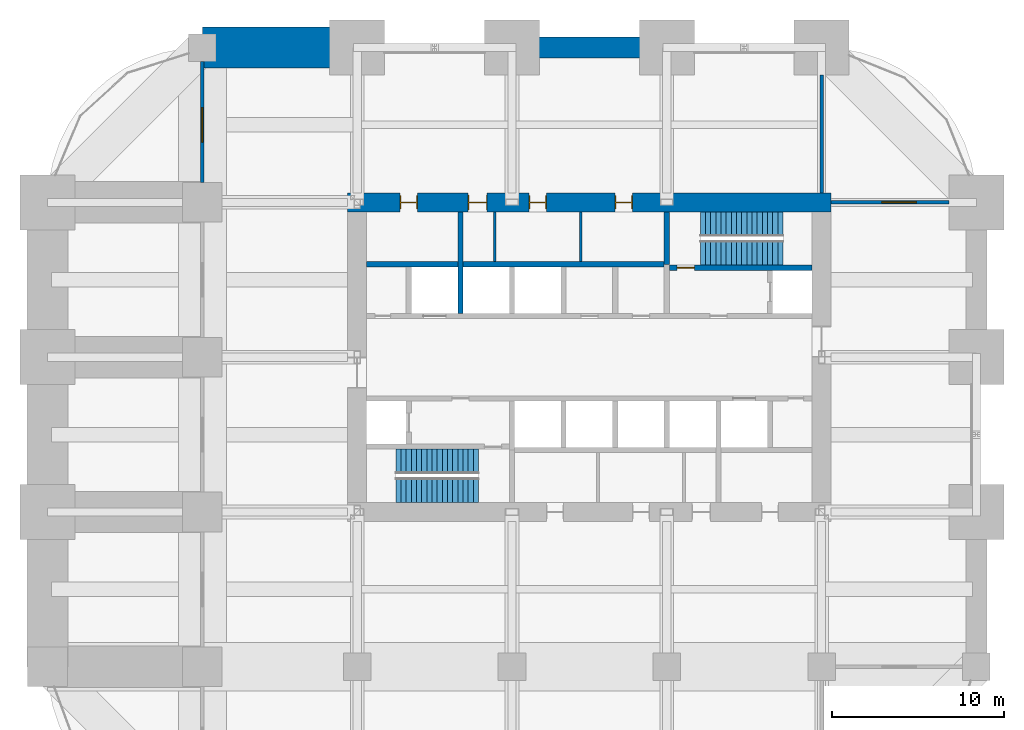
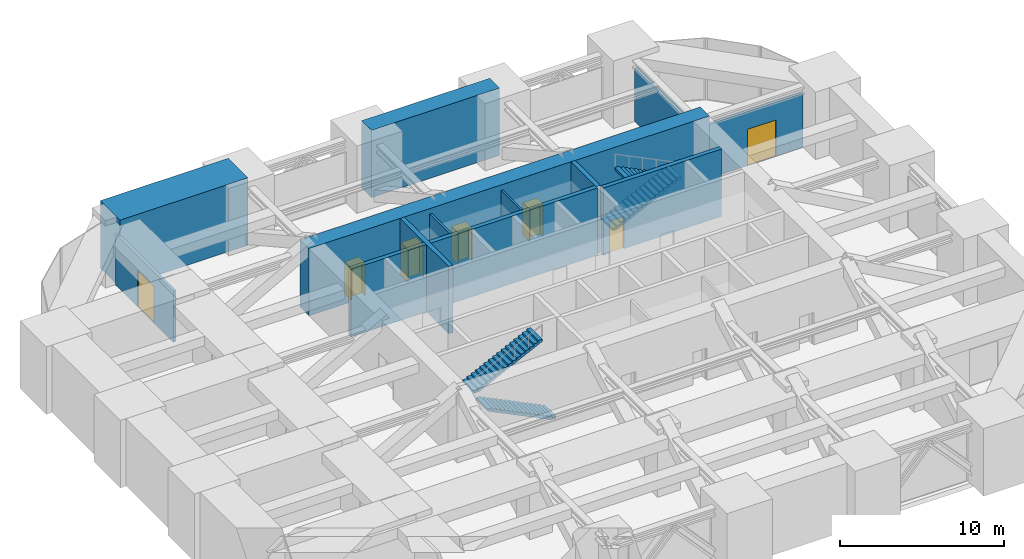
# One storey, part 31 of 32: 12 walls, 7 doors, 4 stair flights, 7 openings, 2 elements without a shape of their own.
"""IFC4 building model written with IfcOpenShell, lengths in metres."""

from ifc_helpers import new_model, si_unit, direction, frame, frame_2d, origin, place, context, subcontext, project, spatial, polyline, rectangle, outline, extrude, material, layer, layer_set, type_object, element, fill, aggregate, save


model = new_model("IFC4")

# Units and contexts
model_context = context("Model", 3, precision=1e-05, world=origin(), true_north=direction((0.0, 1.0)))
body_context = subcontext(model_context, "Body", "Model", "MODEL_VIEW")
ifc_project = project(units=[si_unit("LENGTHUNIT", "METRE"), si_unit("AREAUNIT", "SQUARE_METRE"), si_unit("VOLUMEUNIT", "CUBIC_METRE"), si_unit("PLANEANGLEUNIT", "RADIAN"), si_unit("MASSUNIT", "GRAM", prefix="KILO")], contexts=[model_context])

# Site, building, storey
site_placement = place(None, origin())
site = spatial("IfcSite", under=ifc_project, at=site_placement, CompositionType="ELEMENT")
building_placement = place(site_placement, origin())
building = spatial("IfcBuilding", under=site, at=building_placement, Name="Zorevar Civic Tower", CompositionType="ELEMENT")
storey_placement = place(building_placement, frame((0.0, 0.0, 234.39990234375)))
storey = spatial("IfcBuildingStorey", under=building, at=storey_placement, Name="L57", CompositionType="ELEMENT", Elevation=234.39990234375)

# Wall
ifc_material_1 = material(Name="Concrete C50/60", Category="concrete")
ifc_layer_1 = layer(ifc_material_1, 1.199951171875)
ifc_layer_set_1 = layer_set([ifc_layer_1], Name="Belt wall 1200")
wall_type_1 = type_object("IfcWallType", Name="Belt wall 1200", PredefinedType="SHEAR", material=ifc_layer_set_1)
wall_1_placement = place(storey_placement, frame((27.0, 45.0, 0.0), z_axis=(0.0, 0.0, 1.0), x_axis=(1.0, 0.0, 0.0)))
element("IfcWall", 1, at=wall_1_placement, inside=storey, type_object=wall_type_1, Name="Belt wall N L57", PredefinedType="SHEAR", context=body_context, shape_type="SweptSolid", body=[
    extrude(rectangle(XDim=9.0, YDim=1.199951171875, at=frame_2d((4.5, 0.0))), origin(), (0.0, 0.0, 1.0), 5.0),
])

# Wall, opening, door
ifc_material_2 = material(Name="Concrete blockwork", Category="masonry")
ifc_layer_2 = layer(ifc_material_2, 0.199951171875)
ifc_layer_set_2 = layer_set([ifc_layer_2], Name="Blockwork wall 200")
wall_type_2 = type_object("IfcWallType", Name="Blockwork wall 200", PredefinedType="SOLIDWALL", material=ifc_layer_set_2)
wall_2_placement = place(storey_placement, frame((9.0, 37.14990234375, 0.0), z_axis=(0.0, 0.0, 1.0), x_axis=(0.0, 1.0, 0.0)))
wall_2 = element("IfcWall", 2, at=wall_2_placement, inside=storey, type_object=wall_type_2, Name="Blockwork wall 200 L57", PredefinedType="SOLIDWALL", context=body_context, shape_type="SweptSolid", body=[
    extrude(rectangle(XDim=7.050048828125, YDim=0.199951171875, at=frame_2d((3.52490234375, 0.0))), origin(), (0.0, 0.0, 1.0), 3.800048828125),
])
opening_1_placement = place(wall_2_placement, frame((2.35009765625, 0.0, 0.0)))
opening_1 = element("IfcOpeningElement", 3, at=opening_1_placement, cuts=wall_2, Name="Opening L57.21", PredefinedType="OPENING", context=body_context, shape_type="SweptSolid", body=[
    extrude(rectangle(XDim=2.0, YDim=2.699951171875, at=frame_2d((1.0, 1.35009765625))), frame((0.0, 0.10986328125, 0.0), z_axis=(0.0, -1.0, 0.0), x_axis=(1.0, 0.0, 0.0)), (0.0, 0.0, 1.0), 0.219970703125),
])
ifc_material_3 = material(Name="Steel door set", Category="steel")
door_type_1 = type_object("IfcDoorType", Name="Plant room door PD1 2000x2700", OperationType="DOUBLE_DOOR_SINGLE_SWING", PredefinedType="DOOR", material=ifc_material_3)
door_1_placement = place(opening_1_placement, origin())
door_1 = element("IfcDoor", 4, at=door_1_placement, inside=storey, type_object=door_type_1, Name="Door L57 D04", OperationType="DOUBLE_DOOR_SINGLE_SWING", OverallHeight=2.699951171875, OverallWidth=2.0, PredefinedType="DOOR", context=body_context, shape_type="SweptSolid", body=[
    extrude(rectangle(XDim=2.0, YDim=2.699951171875, at=frame_2d((1.0, 1.35009765625))), frame((0.0, 0.030029296875, 0.0), z_axis=(0.0, -1.0, 0.0), x_axis=(1.0, 0.0, 0.0)), (0.0, 0.0, 1.0), 0.06005859375),
])
fill(opening_1, door_1)

# Wall
wall_3_placement = place(storey_placement, frame((45.0, 36.550048828125, 0.0), z_axis=(0.0, 0.0, 1.0), x_axis=(0.0, 1.0, 0.0)))
element("IfcWall", 5, at=wall_3_placement, inside=storey, type_object=wall_type_2, Name="Blockwork wall 200 L57", PredefinedType="SOLIDWALL", context=body_context, shape_type="SweptSolid", body=[
    extrude(rectangle(XDim=6.849853515625, YDim=0.199951171875, at=frame_2d((3.4248046875, 0.0))), origin(), (0.0, 0.0, 1.0), 4.0),
])

# Wall, opening, door
wall_4_placement = place(storey_placement, frame((45.550048828125, 36.0, 0.0), z_axis=(0.0, 0.0, 1.0), x_axis=(1.0, 0.0, 0.0)))
wall_4 = element("IfcWall", 6, at=wall_4_placement, inside=storey, type_object=wall_type_2, Name="Blockwork wall 200 L57", PredefinedType="SOLIDWALL", context=body_context, shape_type="SweptSolid", body=[
    extrude(rectangle(XDim=6.849853515625, YDim=0.199951171875, at=frame_2d((3.4248046875, 0.0))), origin(), (0.0, 0.0, 1.0), 4.0),
])
opening_2_placement = place(wall_4_placement, frame((2.949951171875, 0.0, 0.0)))
opening_2 = element("IfcOpeningElement", 7, at=opening_2_placement, cuts=wall_4, Name="Opening L57.23", PredefinedType="OPENING", context=body_context, shape_type="SweptSolid", body=[
    extrude(rectangle(XDim=2.0, YDim=2.699951171875, at=frame_2d((1.0, 1.35009765625))), frame((0.0, 0.10986328125, 0.0), z_axis=(0.0, -1.0, 0.0), x_axis=(1.0, 0.0, 0.0)), (0.0, 0.0, 1.0), 0.219970703125),
])
door_2_placement = place(opening_2_placement, origin())
door_2 = element("IfcDoor", 8, at=door_2_placement, inside=storey, type_object=door_type_1, Name="Door L57 D2", OperationType="DOUBLE_DOOR_SINGLE_SWING", OverallHeight=2.699951171875, OverallWidth=2.0, PredefinedType="DOOR", context=body_context, shape_type="SweptSolid", body=[
    extrude(rectangle(XDim=2.0, YDim=2.699951171875, at=frame_2d((1.0, 1.35009765625))), frame((0.0, 0.030029296875, 0.0), z_axis=(0.0, -1.0, 0.0), x_axis=(1.0, 0.0, 0.0)), (0.0, 0.0, 1.0), 0.06005859375),
])
fill(opening_2, door_2)

# Wall, openings, doors
ifc_material_4 = material(Name="Concrete C50/60", Category="concrete")
ifc_layer_3 = layer(ifc_material_4, 1.10009765625)
ifc_layer_set_3 = layer_set([ifc_layer_3], Name="Core wall 1100")
wall_type_3 = type_object("IfcWallType", Name="Core wall 1100", PredefinedType="SHEAR", material=ifc_layer_set_3)
wall_5_placement = place(storey_placement, frame((45.550048828125, 36.0, 0.0), z_axis=(0.0, 0.0, 1.0), x_axis=(-1.0, 0.0, 0.0)))
wall_5 = element("IfcWall", 9, at=wall_5_placement, inside=storey, type_object=wall_type_3, Name="Core wall N L57", PredefinedType="SHEAR", context=body_context, shape_type="SweptSolid", body=[
    extrude(rectangle(XDim=28.10009765625, YDim=1.10009765625, at=frame_2d((14.050048828125, 0.0))), origin(), (0.0, 0.0, 1.0), 5.0),
])
opening_3_placement = place(wall_5_placement, frame((11.550048828125, 0.0, 0.0)))
opening_3 = element("IfcOpeningElement", 10, at=opening_3_placement, cuts=wall_5, Name="Opening L57.07", PredefinedType="OPENING", context=body_context, shape_type="SweptSolid", body=[
    extrude(rectangle(XDim=1.0, YDim=2.39990234375, at=frame_2d((0.5, 1.199951171875))), frame((0.0, 0.56005859375, 0.0), z_axis=(0.0, -1.0, 0.0), x_axis=(1.0, 0.0, 0.0)), (0.0, 0.0, 1.0), 1.1201171875),
])
opening_4_placement = place(wall_5_placement, frame((16.550048828125, 0.0, 0.0)))
opening_4 = element("IfcOpeningElement", 11, at=opening_4_placement, cuts=wall_5, Name="Opening L57.08", PredefinedType="OPENING", context=body_context, shape_type="SweptSolid", body=[
    extrude(rectangle(XDim=1.0, YDim=2.39990234375, at=frame_2d((0.5, 1.199951171875))), frame((0.0, 0.56005859375, 0.0), z_axis=(0.0, -1.0, 0.0), x_axis=(1.0, 0.0, 0.0)), (0.0, 0.0, 1.0), 1.1201171875),
])
opening_5_placement = place(wall_5_placement, frame((20.0, 0.0, 0.0)))
opening_5 = element("IfcOpeningElement", 12, at=opening_5_placement, cuts=wall_5, Name="Opening L57.09", PredefinedType="OPENING", context=body_context, shape_type="SweptSolid", body=[
    extrude(rectangle(XDim=1.10009765625, YDim=2.39990234375, at=frame_2d((0.550048828125, 1.199951171875))), frame((0.0, 0.56005859375, 0.0), z_axis=(0.0, -1.0, 0.0), x_axis=(1.0, 0.0, 0.0)), (0.0, 0.0, 1.0), 1.1201171875),
])
opening_6_placement = place(wall_5_placement, frame((24.050048828125, 0.0, 0.0)))
opening_6 = element("IfcOpeningElement", 13, at=opening_6_placement, cuts=wall_5, Name="Opening L57.10", PredefinedType="OPENING", context=body_context, shape_type="SweptSolid", body=[
    extrude(rectangle(XDim=1.0, YDim=2.39990234375, at=frame_2d((0.5, 1.199951171875))), frame((0.0, 0.56005859375, 0.0), z_axis=(0.0, -1.0, 0.0), x_axis=(1.0, 0.0, 0.0)), (0.0, 0.0, 1.0), 1.1201171875),
])
ifc_material_5 = material(Name="Timber door set", Category="wood")
door_type_2 = type_object("IfcDoorType", Name="Door D1 1000x2400", OperationType="SINGLE_SWING_LEFT", PredefinedType="DOOR", material=ifc_material_5)
door_3_placement = place(opening_3_placement, origin())
door_3 = element("IfcDoor", 14, at=door_3_placement, inside=storey, type_object=door_type_2, Name="Door L57 06", OperationType="SINGLE_SWING_LEFT", OverallHeight=2.39990234375, OverallWidth=1.0, PredefinedType="DOOR", context=body_context, shape_type="SweptSolid", body=[
    extrude(rectangle(XDim=1.0, YDim=2.39990234375, at=frame_2d((0.5, 1.199951171875))), frame((0.0, 0.02490234375, 0.0), z_axis=(0.0, -1.0, 0.0), x_axis=(1.0, 0.0, 0.0)), (0.0, 0.0, 1.0), 0.050048828125),
    extrude(rectangle(XDim=0.04, YDim=2.39990234375, at=frame_2d((0.02001953125, 1.199951171875))), frame((0.0, 0.39990234375, 0.0), z_axis=(0.0, -1.0, 0.0), x_axis=(1.0, 0.0, 0.0)), (0.0, 0.0, 1.0), 0.800048828125),
    extrude(rectangle(XDim=0.04, YDim=2.39990234375, at=frame_2d((0.97998046875, 1.199951171875))), frame((0.0, 0.39990234375, 0.0), z_axis=(0.0, -1.0, 0.0), x_axis=(1.0, 0.0, 0.0)), (0.0, 0.0, 1.0), 0.800048828125),
    extrude(rectangle(XDim=1.0, YDim=0.04, at=frame_2d((0.5, 2.3798828125))), frame((0.0, 0.39990234375, 0.0), z_axis=(0.0, -1.0, 0.0), x_axis=(1.0, 0.0, 0.0)), (0.0, 0.0, 1.0), 0.800048828125),
])
fill(opening_3, door_3)
door_4_placement = place(opening_4_placement, origin())
door_4 = element("IfcDoor", 15, at=door_4_placement, inside=storey, type_object=door_type_2, Name="Door L57 07", OperationType="SINGLE_SWING_RIGHT", OverallHeight=2.39990234375, OverallWidth=1.0, PredefinedType="DOOR", context=body_context, shape_type="SweptSolid", body=[
    extrude(rectangle(XDim=1.0, YDim=2.39990234375, at=frame_2d((0.5, 1.199951171875))), frame((0.0, 0.02490234375, 0.0), z_axis=(0.0, -1.0, 0.0), x_axis=(1.0, 0.0, 0.0)), (0.0, 0.0, 1.0), 0.050048828125),
    extrude(rectangle(XDim=0.04, YDim=2.39990234375, at=frame_2d((0.02001953125, 1.199951171875))), frame((0.0, 0.39990234375, 0.0), z_axis=(0.0, -1.0, 0.0), x_axis=(1.0, 0.0, 0.0)), (0.0, 0.0, 1.0), 0.800048828125),
    extrude(rectangle(XDim=0.04, YDim=2.39990234375, at=frame_2d((0.97998046875, 1.199951171875))), frame((0.0, 0.39990234375, 0.0), z_axis=(0.0, -1.0, 0.0), x_axis=(1.0, 0.0, 0.0)), (0.0, 0.0, 1.0), 0.800048828125),
    extrude(rectangle(XDim=1.0, YDim=0.04, at=frame_2d((0.5, 2.3798828125))), frame((0.0, 0.39990234375, 0.0), z_axis=(0.0, -1.0, 0.0), x_axis=(1.0, 0.0, 0.0)), (0.0, 0.0, 1.0), 0.800048828125),
])
fill(opening_4, door_4)
door_5_placement = place(opening_6_placement, origin())
door_5 = element("IfcDoor", 16, at=door_5_placement, inside=storey, type_object=door_type_2, Name="Door L57 09", OperationType="SINGLE_SWING_RIGHT", OverallHeight=2.39990234375, OverallWidth=1.0, PredefinedType="DOOR", context=body_context, shape_type="SweptSolid", body=[
    extrude(rectangle(XDim=1.0, YDim=2.39990234375, at=frame_2d((0.5, 1.199951171875))), frame((0.0, 0.02490234375, 0.0), z_axis=(0.0, -1.0, 0.0), x_axis=(1.0, 0.0, 0.0)), (0.0, 0.0, 1.0), 0.050048828125),
    extrude(rectangle(XDim=0.04, YDim=2.39990234375, at=frame_2d((0.02001953125, 1.199951171875))), frame((0.0, 0.39990234375, 0.0), z_axis=(0.0, -1.0, 0.0), x_axis=(1.0, 0.0, 0.0)), (0.0, 0.0, 1.0), 0.800048828125),
    extrude(rectangle(XDim=0.04, YDim=2.39990234375, at=frame_2d((0.97998046875, 1.199951171875))), frame((0.0, 0.39990234375, 0.0), z_axis=(0.0, -1.0, 0.0), x_axis=(1.0, 0.0, 0.0)), (0.0, 0.0, 1.0), 0.800048828125),
    extrude(rectangle(XDim=1.0, YDim=0.04, at=frame_2d((0.5, 2.3798828125))), frame((0.0, 0.39990234375, 0.0), z_axis=(0.0, -1.0, 0.0), x_axis=(1.0, 0.0, 0.0)), (0.0, 0.0, 1.0), 0.800048828125),
])
fill(opening_6, door_5)
ifc_material_6 = material(Name="Timber door set", Category="wood")
door_type_3 = type_object("IfcDoorType", Name="Door D5 1100x2400", OperationType="SINGLE_SWING_LEFT", PredefinedType="DOOR", material=ifc_material_6)
door_6_placement = place(opening_5_placement, origin())
door_6 = element("IfcDoor", 17, at=door_6_placement, inside=storey, type_object=door_type_3, Name="Door L57 08", OperationType="SINGLE_SWING_RIGHT", OverallHeight=2.39990234375, OverallWidth=1.10009765625, PredefinedType="DOOR", context=body_context, shape_type="SweptSolid", body=[
    extrude(rectangle(XDim=1.10009765625, YDim=2.39990234375, at=frame_2d((0.550048828125, 1.199951171875))), frame((0.0, 0.02490234375, 0.0), z_axis=(0.0, -1.0, 0.0), x_axis=(1.0, 0.0, 0.0)), (0.0, 0.0, 1.0), 0.050048828125),
    extrude(rectangle(XDim=0.04, YDim=2.39990234375, at=frame_2d((0.02001953125, 1.199951171875))), frame((0.0, 0.43994140625, 0.0), z_axis=(0.0, -1.0, 0.0), x_axis=(1.0, 0.0, 0.0)), (0.0, 0.0, 1.0), 0.880126953125),
    extrude(rectangle(XDim=0.04, YDim=2.39990234375, at=frame_2d((1.080078125, 1.199951171875))), frame((0.0, 0.43994140625, 0.0), z_axis=(0.0, -1.0, 0.0), x_axis=(1.0, 0.0, 0.0)), (0.0, 0.0, 1.0), 0.880126953125),
    extrude(rectangle(XDim=1.10009765625, YDim=0.04, at=frame_2d((0.550048828125, 2.3798828125))), frame((0.0, 0.43994140625, 0.0), z_axis=(0.0, -1.0, 0.0), x_axis=(1.0, 0.0, 0.0)), (0.0, 0.0, 1.0), 0.880126953125),
])
fill(opening_5, door_6)

# Wall, opening, door
ifc_material_7 = material(Name="Concrete C40/50", Category="concrete")
ifc_layer_4 = layer(ifc_material_7, 0.300048828125)
ifc_layer_set_4 = layer_set([ifc_layer_4], Name="Inner core wall 300")
wall_type_4 = type_object("IfcWallType", Name="Inner core wall 300", PredefinedType="SHEAR", material=ifc_layer_set_4)
wall_6_placement = place(storey_placement, frame((36.14990234375, 32.199951171875, 0.0), z_axis=(0.0, 0.0, 1.0), x_axis=(1.0, 0.0, 0.0)))
wall_6 = element("IfcWall", 18, at=wall_6_placement, inside=storey, type_object=wall_type_4, Name="Inner core wall N00 L57", PredefinedType="SHEAR", context=body_context, shape_type="SweptSolid", body=[
    extrude(rectangle(XDim=8.300048828125, YDim=0.300048828125, at=frame_2d((4.14990234375, 0.0))), origin(), (0.0, 0.0, 1.0), 5.0),
])
opening_7_placement = place(wall_6_placement, frame((0.449951171875, 0.0, 0.0)))
opening_7 = element("IfcOpeningElement", 19, at=opening_7_placement, cuts=wall_6, Name="Opening L57.12", PredefinedType="OPENING", context=body_context, shape_type="SweptSolid", body=[
    extrude(rectangle(XDim=1.0, YDim=2.39990234375, at=frame_2d((0.5, 1.199951171875))), frame((0.0, 0.159912109375, 0.0), z_axis=(0.0, -1.0, 0.0), x_axis=(1.0, 0.0, 0.0)), (0.0, 0.0, 1.0), 0.320068359375),
])
ifc_material_8 = material(Name="Steel door set", Category="steel")
door_type_4 = type_object("IfcDoorType", Name="Fire door FD1 1000x2400", OperationType="SINGLE_SWING_LEFT", PredefinedType="DOOR", material=ifc_material_8)
door_7_placement = place(opening_7_placement, origin())
door_7 = element("IfcDoor", 20, at=door_7_placement, inside=storey, type_object=door_type_4, Name="Door L57 11", OperationType="SINGLE_SWING_RIGHT", OverallHeight=2.39990234375, OverallWidth=1.0, PredefinedType="DOOR", context=body_context, shape_type="SweptSolid", body=[
    extrude(rectangle(XDim=1.0, YDim=2.39990234375, at=frame_2d((0.5, 1.199951171875))), frame((0.0, 0.030029296875, 0.0), z_axis=(0.0, -1.0, 0.0), x_axis=(1.0, 0.0, 0.0)), (0.0, 0.0, 1.0), 0.06005859375),
])
fill(opening_7, door_7)

# Walls
wall_7_placement = place(storey_placement, frame((36.0, 32.39990234375, 0.0), z_axis=(0.0, 0.0, 1.0), x_axis=(0.0, 1.0, 0.0)))
element("IfcWall", 21, at=wall_7_placement, inside=storey, type_object=wall_type_4, Name="Inner core wall N01 L57", PredefinedType="SHEAR", context=body_context, shape_type="SweptSolid", body=[
    extrude(rectangle(XDim=3.050048828125, YDim=0.300048828125, at=frame_2d((1.52490234375, 0.0))), origin(), (0.0, 0.0, 1.0), 5.0),
])
wall_8_placement = place(storey_placement, frame((18.550048828125, 32.39990234375, 0.0), z_axis=(0.0, 0.0, 1.0), x_axis=(1.0, 0.0, 0.0)))
element("IfcWall", 22, at=wall_8_placement, inside=storey, type_object=wall_type_4, Name="Inner core wall N04 L57", PredefinedType="SHEAR", context=body_context, shape_type="SweptSolid", body=[
    extrude(rectangle(XDim=17.300048828125, YDim=0.300048828125, at=frame_2d((8.64990234375, 0.0))), origin(), (0.0, 0.0, 1.0), 5.0),
])
wall_9_placement = place(storey_placement, frame((24.0, 29.550048828125, 0.0), z_axis=(0.0, 0.0, 1.0), x_axis=(0.0, 1.0, 0.0)))
element("IfcWall", 23, at=wall_9_placement, inside=storey, type_object=wall_type_4, Name="Inner core wall N08 L57", PredefinedType="SHEAR", context=body_context, shape_type="SweptSolid", body=[
    extrude(rectangle(XDim=5.89990234375, YDim=0.300048828125, at=frame_2d((2.949951171875, 0.0))), origin(), (0.0, 0.0, 1.0), 5.0),
])
ifc_material_9 = material(Name="Concrete C50/60", Category="concrete")
ifc_layer_5 = layer(ifc_material_9, 2.39990234375)
ifc_layer_set_5 = layer_set([ifc_layer_5], Name="Setback tie wall 2400")
wall_type_5 = type_object("IfcWallType", Name="Setback tie wall 2400", PredefinedType="SHEAR", material=ifc_layer_set_5)
wall_10_placement = place(storey_placement, frame((9.0, 45.0, 0.0), z_axis=(0.0, 0.0, 1.0), x_axis=(1.0, 0.0, 0.0)))
element("IfcWall", 24, at=wall_10_placement, inside=storey, type_object=wall_type_5, Name="Setback belt wall N L57", PredefinedType="SHEAR", context=body_context, shape_type="SweptSolid", body=[
    extrude(rectangle(XDim=9.0, YDim=2.39990234375, at=frame_2d((4.5, 0.0))), origin(), (0.0, 0.0, 1.0), 5.0),
])
ifc_material_10 = material(Name="Gypsum board on steel studs, moisture resistant", Category="steel")
ifc_layer_6 = layer(ifc_material_10, 0.14990234375)
ifc_layer_set_6 = layer_set([ifc_layer_6], Name="WC partition 150")
wall_type_6 = type_object("IfcWallType", Name="WC partition 150", PredefinedType="PARTITIONING", material=ifc_layer_set_6)
for number, where, z_axis, x_axis, name in (
    (25, (31.0, 32.550048828125, 0.0), (0.0, 0.0, 1.0), (0.0, 1.0, 0.0), "WC partition L57"),
    (26, (26.0, 32.550048828125, 0.0), (0.0, 0.0, 1.0), (0.0, 1.0, 0.0), "WC partition L57"),
):
    element("IfcWall", number, at=place(storey_placement, frame(where, z_axis=z_axis, x_axis=x_axis)), inside=storey, type_object=wall_type_6, Name=name, PredefinedType="PARTITIONING", context=body_context, shape_type="SweptSolid", body=[
        extrude(rectangle(XDim=2.89990234375, YDim=0.14990234375, at=frame_2d((1.449951171875, 0.0))), origin(), (0.0, 0.0, 1.0), 4.60009765625),
    ])

# Stair, stair flights
ifc_material_11 = material(Name="Precast concrete C40/50", Category="concrete")
stair_type = type_object("IfcStairType", Name="Stair ST 34R", PredefinedType="HALF_TURN_STAIR", material=ifc_material_11)
stair_1_placement = place(storey_placement, origin())
stair_1 = element("IfcStair", 27, at=stair_1_placement, inside=storey, type_object=stair_type, Name="Stair ST1 L57", PredefinedType="HALF_TURN_STAIR")
ifc_material_12 = material(Name="Precast concrete C40/50", Category="concrete")
stair_flight_type = type_object("IfcStairFlightType", Name="Stair flight", PredefinedType="STRAIGHT", material=ifc_material_12)
stair_flight_1_placement = place(storey_placement, frame((25.050048828125, 19.262451171875, 0.0), z_axis=(0.0, 0.0, 1.0), x_axis=(-1.0, 0.0, 0.0)))
stair_flight_1 = element("IfcStairFlight", 28, at=stair_flight_1_placement, type_object=stair_flight_type, Name="ST1 flight 1", NumberOfRisers=17, NumberOfTreads=16, PredefinedType="STRAIGHT", RiserHeight=0.147058824, TreadLength=0.3, context=body_context, shape_type="SweptSolid", body=[
    extrude(outline(polyline([(0.0, 0.0), (0.0, 0.14697265625), (0.300048828125, 0.14697265625), (0.300048828125, 0.294189453125), (0.60009765625, 0.294189453125), (0.60009765625, 0.441162109375), (0.89990234375, 0.441162109375), (0.89990234375, 0.588134765625), (1.199951171875, 0.588134765625), (1.199951171875, 0.7353515625), (1.5, 0.7353515625), (1.5, 0.88232421875), (1.800048828125, 0.88232421875), (1.800048828125, 1.029296875), (2.10009765625, 1.029296875), (2.10009765625, 1.176513671875), (2.39990234375, 1.176513671875), (2.39990234375, 1.323486328125), (2.699951171875, 1.323486328125), (2.699951171875, 1.470703125), (3.0, 1.470703125), (3.0, 1.61767578125), (3.300048828125, 1.61767578125), (3.300048828125, 1.7646484375), (3.60009765625, 1.7646484375), (3.60009765625, 1.911865234375), (3.89990234375, 1.911865234375), (3.89990234375, 2.058837890625), (4.199951171875, 2.058837890625), (4.199951171875, 2.205810546875), (4.5, 2.205810546875), (4.5, 2.35302734375), (4.800048828125, 2.35302734375), (4.800048828125, 2.5), (4.800048828125, 2.18603515625), (0.340576171875, 0.0), (0.0, 0.0)])), frame((0.0, 0.71240234375, 0.0), z_axis=(0.0, -1.0, 0.0), x_axis=(1.0, 0.0, 0.0)), (0.0, 0.0, 1.0), 1.425048828125),
])
stair_flight_2_placement = place(storey_placement, frame((20.25, 20.9375, 2.5), z_axis=(0.0, 0.0, 1.0), x_axis=(1.0, 0.0, 0.0)))
stair_flight_2 = element("IfcStairFlight", 29, at=stair_flight_2_placement, type_object=stair_flight_type, Name="ST1 flight 2", NumberOfRisers=17, NumberOfTreads=16, PredefinedType="STRAIGHT", RiserHeight=0.147058824, TreadLength=0.3, context=body_context, shape_type="SweptSolid", body=[
    extrude(outline(polyline([(0.0, 0.0), (0.0, 0.14697265625), (0.300048828125, 0.14697265625), (0.300048828125, 0.294189453125), (0.60009765625, 0.294189453125), (0.60009765625, 0.441162109375), (0.89990234375, 0.441162109375), (0.89990234375, 0.588134765625), (1.199951171875, 0.588134765625), (1.199951171875, 0.7353515625), (1.5, 0.7353515625), (1.5, 0.88232421875), (1.800048828125, 0.88232421875), (1.800048828125, 1.029296875), (2.10009765625, 1.029296875), (2.10009765625, 1.176513671875), (2.39990234375, 1.176513671875), (2.39990234375, 1.323486328125), (2.699951171875, 1.323486328125), (2.699951171875, 1.470703125), (3.0, 1.470703125), (3.0, 1.61767578125), (3.300048828125, 1.61767578125), (3.300048828125, 1.7646484375), (3.60009765625, 1.7646484375), (3.60009765625, 1.911865234375), (3.89990234375, 1.911865234375), (3.89990234375, 2.058837890625), (4.199951171875, 2.058837890625), (4.199951171875, 2.205810546875), (4.5, 2.205810546875), (4.5, 2.35302734375), (4.800048828125, 2.35302734375), (4.800048828125, 2.5), (4.800048828125, 2.18603515625), (0.340576171875, 0.0), (0.0, 0.0)])), frame((0.0, 0.71240234375, 0.0), z_axis=(0.0, -1.0, 0.0), x_axis=(1.0, 0.0, 0.0)), (0.0, 0.0, 1.0), 1.425048828125),
])
aggregate(stair_1, [stair_flight_1, stair_flight_2])

stair_2_placement = place(storey_placement, origin())
stair_2 = element("IfcStair", 30, at=stair_2_placement, inside=storey, type_object=stair_type, Name="Stair ST2 L57", PredefinedType="HALF_TURN_STAIR")
stair_flight_3_placement = place(storey_placement, frame((37.949951171875, 34.737548828125, 0.0), z_axis=(0.0, 0.0, 1.0), x_axis=(1.0, 0.0, 0.0)))
stair_flight_3 = element("IfcStairFlight", 31, at=stair_flight_3_placement, type_object=stair_flight_type, Name="ST2 flight 1", NumberOfRisers=17, NumberOfTreads=16, PredefinedType="STRAIGHT", RiserHeight=0.147058824, TreadLength=0.3, context=body_context, shape_type="SweptSolid", body=[
    extrude(outline(polyline([(0.0, 0.0), (0.0, 0.14697265625), (0.300048828125, 0.14697265625), (0.300048828125, 0.294189453125), (0.60009765625, 0.294189453125), (0.60009765625, 0.441162109375), (0.89990234375, 0.441162109375), (0.89990234375, 0.588134765625), (1.199951171875, 0.588134765625), (1.199951171875, 0.7353515625), (1.5, 0.7353515625), (1.5, 0.88232421875), (1.800048828125, 0.88232421875), (1.800048828125, 1.029296875), (2.10009765625, 1.029296875), (2.10009765625, 1.176513671875), (2.39990234375, 1.176513671875), (2.39990234375, 1.323486328125), (2.699951171875, 1.323486328125), (2.699951171875, 1.470703125), (3.0, 1.470703125), (3.0, 1.61767578125), (3.300048828125, 1.61767578125), (3.300048828125, 1.7646484375), (3.60009765625, 1.7646484375), (3.60009765625, 1.911865234375), (3.89990234375, 1.911865234375), (3.89990234375, 2.058837890625), (4.199951171875, 2.058837890625), (4.199951171875, 2.205810546875), (4.5, 2.205810546875), (4.5, 2.35302734375), (4.800048828125, 2.35302734375), (4.800048828125, 2.5), (4.800048828125, 2.18603515625), (0.340576171875, 0.0), (0.0, 0.0)])), frame((0.0, 0.71240234375, 0.0), z_axis=(0.0, -1.0, 0.0), x_axis=(1.0, 0.0, 0.0)), (0.0, 0.0, 1.0), 1.425048828125),
])
stair_flight_4_placement = place(storey_placement, frame((42.75, 33.0625, 2.5), z_axis=(0.0, 0.0, 1.0), x_axis=(-1.0, 0.0, 0.0)))
stair_flight_4 = element("IfcStairFlight", 32, at=stair_flight_4_placement, type_object=stair_flight_type, Name="ST2 flight 2", NumberOfRisers=17, NumberOfTreads=16, PredefinedType="STRAIGHT", RiserHeight=0.147058824, TreadLength=0.3, context=body_context, shape_type="SweptSolid", body=[
    extrude(outline(polyline([(0.0, 0.0), (0.0, 0.14697265625), (0.300048828125, 0.14697265625), (0.300048828125, 0.294189453125), (0.60009765625, 0.294189453125), (0.60009765625, 0.441162109375), (0.89990234375, 0.441162109375), (0.89990234375, 0.588134765625), (1.199951171875, 0.588134765625), (1.199951171875, 0.7353515625), (1.5, 0.7353515625), (1.5, 0.88232421875), (1.800048828125, 0.88232421875), (1.800048828125, 1.029296875), (2.10009765625, 1.029296875), (2.10009765625, 1.176513671875), (2.39990234375, 1.176513671875), (2.39990234375, 1.323486328125), (2.699951171875, 1.323486328125), (2.699951171875, 1.470703125), (3.0, 1.470703125), (3.0, 1.61767578125), (3.300048828125, 1.61767578125), (3.300048828125, 1.7646484375), (3.60009765625, 1.7646484375), (3.60009765625, 1.911865234375), (3.89990234375, 1.911865234375), (3.89990234375, 2.058837890625), (4.199951171875, 2.058837890625), (4.199951171875, 2.205810546875), (4.5, 2.205810546875), (4.5, 2.35302734375), (4.800048828125, 2.35302734375), (4.800048828125, 2.5), (4.800048828125, 2.18603515625), (0.340576171875, 0.0), (0.0, 0.0)])), frame((0.0, 0.71240234375, 0.0), z_axis=(0.0, -1.0, 0.0), x_axis=(1.0, 0.0, 0.0)), (0.0, 0.0, 1.0), 1.425048828125),
])
aggregate(stair_2, [stair_flight_3, stair_flight_4])

save(model, "model.ifc")
